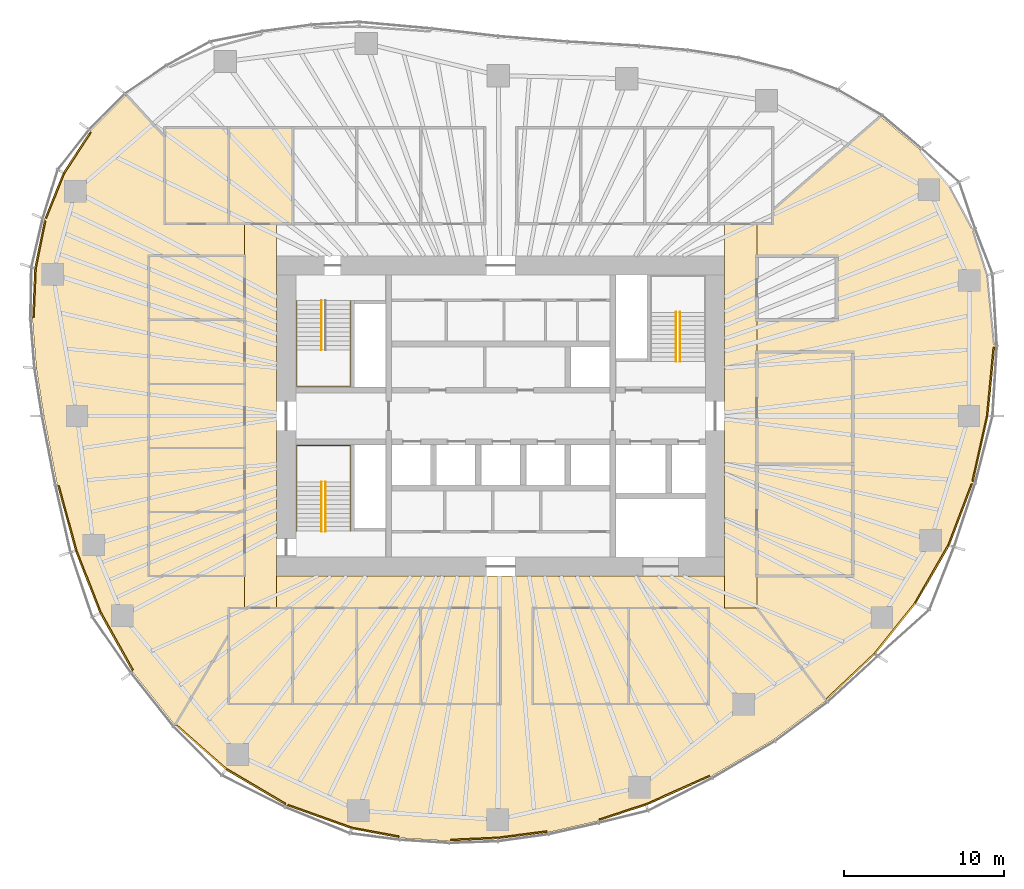
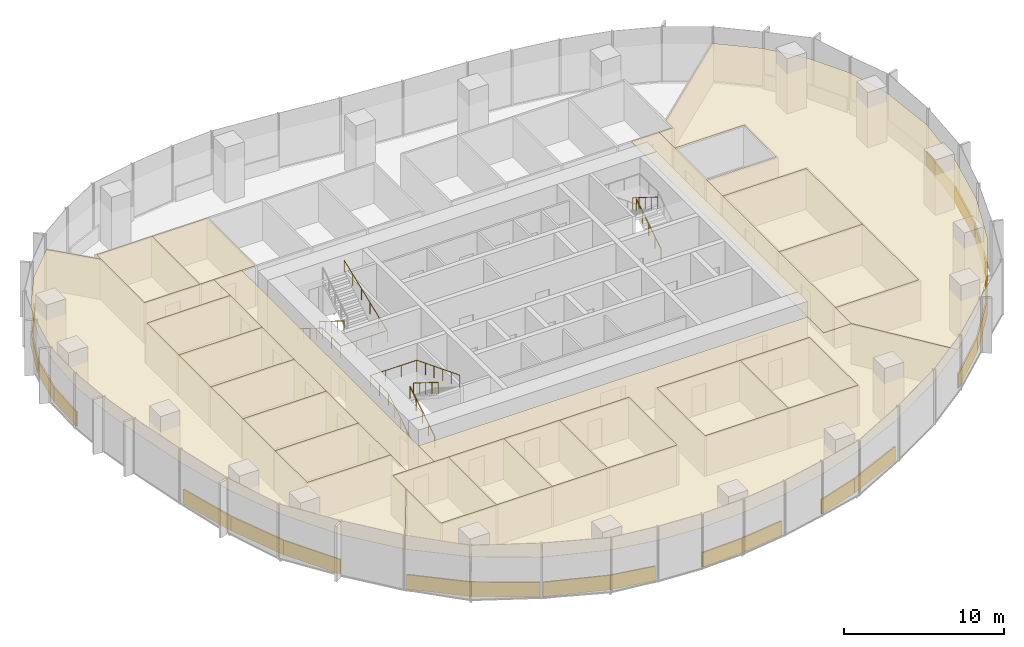
# One storey, part 17 of 18: 41 coverings, 7 railings.
"""IFC4 building model written with IfcOpenShell, lengths in metres."""

from ifc_helpers import new_model, si_unit, direction, frame, origin, origin_2d, place, context, subcontext, project, spatial, polyline, rectangle, circle, outline, extrude, material, layer, layer_set, type_object, element, save


model = new_model("IFC4")

# Units and contexts
model_context = context("Model", 3, precision=1e-05, world=origin(), true_north=direction((0.0, 1.0)))
body_context = subcontext(model_context, "Body", "Model", "MODEL_VIEW")
ifc_project = project(units=[si_unit("LENGTHUNIT", "METRE"), si_unit("AREAUNIT", "SQUARE_METRE"), si_unit("VOLUMEUNIT", "CUBIC_METRE"), si_unit("PLANEANGLEUNIT", "RADIAN"), si_unit("MASSUNIT", "GRAM", prefix="KILO")], contexts=[model_context])

# Site, building, storey
site_placement = place(None, origin())
site = spatial("IfcSite", under=ifc_project, at=site_placement, CompositionType="ELEMENT")
building_placement = place(site_placement, origin())
building = spatial("IfcBuilding", under=site, at=building_placement, Name="Ghaith Harvest Tower", CompositionType="ELEMENT")
storey_placement = place(building_placement, frame((0.0, 0.0, 172.199951171875)))
storey = spatial("IfcBuildingStorey", under=building, at=storey_placement, Name="L37", CompositionType="ELEMENT", Elevation=172.199951171875)

# Coverings
ifc_material_1 = material(Name="Mineral fibre ceiling tile", Category="gypsum")
ifc_layer_1 = layer(ifc_material_1, 0.02001953125)
ifc_layer_set_1 = layer_set([ifc_layer_1], Name="CEILING C1")
covering_type_1 = type_object("IfcCoveringType", Name="CEILING C1", PredefinedType="CEILING", material=ifc_layer_set_1)
covering_1_placement = place(storey_placement, frame((0.0, 0.0, 3.0)))
element("IfcCovering", 1, at=covering_1_placement, inside=storey, type_object=covering_type_1, Name="Ceiling L37-01", PredefinedType="CEILING", context=body_context, shape_type="SweptSolid", body=[
    extrude(outline(polyline([(-21.0, 12.0), (-17.0, 12.0), (-17.0, 18.0), (-21.0, 18.0), (-21.0, 12.0)])), origin(), (0.0, 0.0, 1.0), 0.02001953125),
])
covering_2_placement = place(storey_placement, frame((0.0, 0.0, 3.0)))
element("IfcCovering", 2, at=covering_2_placement, inside=storey, type_object=covering_type_1, Name="Ceiling L37-02", PredefinedType="CEILING", context=body_context, shape_type="SweptSolid", body=[
    extrude(outline(polyline([(-17.0, 12.0), (-13.0, 12.0), (-13.0, 18.0), (-17.0, 18.0), (-17.0, 12.0)])), origin(), (0.0, 0.0, 1.0), 0.02001953125),
])
covering_3_placement = place(storey_placement, frame((0.0, 0.0, 3.0)))
element("IfcCovering", 3, at=covering_3_placement, inside=storey, type_object=covering_type_1, Name="Ceiling L37-10", PredefinedType="CEILING", context=body_context, shape_type="SweptSolid", body=[
    extrude(outline(polyline([(16.0, -10.0), (22.0, -10.0), (22.0, -3.0), (16.0, -3.0), (16.0, -10.0)])), origin(), (0.0, 0.0, 1.0), 0.02001953125),
])
covering_4_placement = place(storey_placement, frame((0.0, 0.0, 3.0)))
element("IfcCovering", 4, at=covering_4_placement, inside=storey, type_object=covering_type_1, Name="Ceiling L37-11", PredefinedType="CEILING", context=body_context, shape_type="SweptSolid", body=[
    extrude(outline(polyline([(16.0, -3.0), (22.0, -3.0), (22.0, 4.0), (16.0, 4.0), (16.0, -3.0)])), origin(), (0.0, 0.0, 1.0), 0.02001953125),
])
covering_5_placement = place(storey_placement, frame((0.0, 0.0, 3.0)))
element("IfcCovering", 5, at=covering_5_placement, inside=storey, type_object=covering_type_1, Name="Ceiling L37-12", PredefinedType="CEILING", context=body_context, shape_type="SweptSolid", body=[
    extrude(outline(polyline([(-17.0, -18.0), (-13.0, -18.0), (-13.0, -12.0), (-17.0, -12.0), (-17.0, -18.0)])), origin(), (0.0, 0.0, 1.0), 0.02001953125),
])
covering_6_placement = place(storey_placement, frame((0.0, 0.0, 3.0)))
element("IfcCovering", 6, at=covering_6_placement, inside=storey, type_object=covering_type_1, Name="Ceiling L37-13", PredefinedType="CEILING", context=body_context, shape_type="SweptSolid", body=[
    extrude(outline(polyline([(-13.0, -18.0), (-9.0, -18.0), (-9.0, -12.0), (-13.0, -12.0), (-13.0, -18.0)])), origin(), (0.0, 0.0, 1.0), 0.02001953125),
])
covering_7_placement = place(storey_placement, frame((0.0, 0.0, 3.0)))
element("IfcCovering", 7, at=covering_7_placement, inside=storey, type_object=covering_type_1, Name="Ceiling L37-14", PredefinedType="CEILING", context=body_context, shape_type="SweptSolid", body=[
    extrude(outline(polyline([(-9.0, -18.0), (-5.0, -18.0), (-5.0, -12.0), (-9.0, -12.0), (-9.0, -18.0)])), origin(), (0.0, 0.0, 1.0), 0.02001953125),
])
covering_8_placement = place(storey_placement, frame((0.0, 0.0, 3.0)))
element("IfcCovering", 8, at=covering_8_placement, inside=storey, type_object=covering_type_1, Name="Ceiling L37-15", PredefinedType="CEILING", context=body_context, shape_type="SweptSolid", body=[
    extrude(outline(polyline([(-5.0, -18.0), (0.0, -18.0), (0.0, -12.0), (-5.0, -12.0), (-5.0, -18.0)])), origin(), (0.0, 0.0, 1.0), 0.02001953125),
])
covering_9_placement = place(storey_placement, frame((0.0, 0.0, 3.0)))
element("IfcCovering", 9, at=covering_9_placement, inside=storey, type_object=covering_type_1, Name="Ceiling L37-16", PredefinedType="CEILING", context=body_context, shape_type="SweptSolid", body=[
    extrude(outline(polyline([(2.0, -18.0), (8.0, -18.0), (8.0, -12.0), (2.0, -12.0), (2.0, -18.0)])), origin(), (0.0, 0.0, 1.0), 0.02001953125),
])
covering_10_placement = place(storey_placement, frame((0.0, 0.0, 3.0)))
element("IfcCovering", 10, at=covering_10_placement, inside=storey, type_object=covering_type_1, Name="Ceiling L37-17", PredefinedType="CEILING", context=body_context, shape_type="SweptSolid", body=[
    extrude(outline(polyline([(8.0, -18.0), (13.0, -18.0), (13.0, -12.0), (8.0, -12.0), (8.0, -18.0)])), origin(), (0.0, 0.0, 1.0), 0.02001953125),
])
covering_11_placement = place(storey_placement, frame((0.0, 0.0, 3.0)))
element("IfcCovering", 11, at=covering_11_placement, inside=storey, type_object=covering_type_1, Name="Ceiling L37-18", PredefinedType="CEILING", context=body_context, shape_type="SweptSolid", body=[
    extrude(outline(polyline([(-22.0, -10.0), (-16.0, -10.0), (-16.0, -6.0), (-22.0, -6.0), (-22.0, -10.0)])), origin(), (0.0, 0.0, 1.0), 0.02001953125),
])
covering_12_placement = place(storey_placement, frame((0.0, 0.0, 3.0)))
element("IfcCovering", 12, at=covering_12_placement, inside=storey, type_object=covering_type_1, Name="Ceiling L37-19", PredefinedType="CEILING", context=body_context, shape_type="SweptSolid", body=[
    extrude(outline(polyline([(-22.0, -6.0), (-16.0, -6.0), (-16.0, -2.0), (-22.0, -2.0), (-22.0, -6.0)])), origin(), (0.0, 0.0, 1.0), 0.02001953125),
])
covering_13_placement = place(storey_placement, frame((0.0, 0.0, 3.0)))
element("IfcCovering", 13, at=covering_13_placement, inside=storey, type_object=covering_type_1, Name="Ceiling L37-20", PredefinedType="CEILING", context=body_context, shape_type="SweptSolid", body=[
    extrude(outline(polyline([(-22.0, -2.0), (-16.0, -2.0), (-16.0, 2.0), (-22.0, 2.0), (-22.0, -2.0)])), origin(), (0.0, 0.0, 1.0), 0.02001953125),
])
covering_14_placement = place(storey_placement, frame((0.0, 0.0, 3.0)))
element("IfcCovering", 14, at=covering_14_placement, inside=storey, type_object=covering_type_1, Name="Ceiling L37-21", PredefinedType="CEILING", context=body_context, shape_type="SweptSolid", body=[
    extrude(outline(polyline([(-22.0, 2.0), (-16.0, 2.0), (-16.0, 6.0), (-22.0, 6.0), (-22.0, 2.0)])), origin(), (0.0, 0.0, 1.0), 0.02001953125),
])
covering_15_placement = place(storey_placement, frame((0.0, 0.0, 3.0)))
element("IfcCovering", 15, at=covering_15_placement, inside=storey, type_object=covering_type_1, Name="Ceiling L37-22", PredefinedType="CEILING", context=body_context, shape_type="SweptSolid", body=[
    extrude(outline(polyline([(-22.0, 6.0), (-16.0, 6.0), (-16.0, 10.0), (-22.0, 10.0), (-22.0, 6.0)])), origin(), (0.0, 0.0, 1.0), 0.02001953125),
])
covering_16_placement = place(storey_placement, frame((0.0, 0.0, 3.0)))
element("IfcCovering", 16, at=covering_16_placement, inside=storey, type_object=covering_type_1, Name="Ceiling L37-C1", PredefinedType="CEILING", context=body_context, shape_type="SweptSolid", body=[
    extrude(outline(polyline([(14.0, -12.0), (14.0, 12.0), (16.0, 12.0), (16.0, -12.0), (14.0, -12.0)])), origin(), (0.0, 0.0, 1.0), 0.02001953125),
])
covering_17_placement = place(storey_placement, frame((0.0, 0.0, 3.0)))
element("IfcCovering", 17, at=covering_17_placement, inside=storey, type_object=covering_type_1, Name="Ceiling L37-C2", PredefinedType="CEILING", context=body_context, shape_type="SweptSolid", body=[
    extrude(outline(polyline([(-14.0, 12.0), (-14.0, -12.0), (-16.0, -12.0), (-16.0, 12.0), (-14.0, 12.0)])), origin(), (0.0, 0.0, 1.0), 0.02001953125),
])
covering_18_placement = place(storey_placement, frame((0.0, 0.0, 3.0)))
element("IfcCovering", 18, at=covering_18_placement, inside=storey, type_object=covering_type_1, Name="Ceiling L37-E1", PredefinedType="CEILING", context=body_context, shape_type="SweptSolid", body=[
    extrude(outline(polyline([(26.179443359375, 16.660888671875), (28.0888671875, 14.32568359375), (29.52294921875, 11.671875), (30.439208984375, 8.797607421875), (30.8798828125, 4.373046875), (30.458740234375, 0.0), (29.527099609375, -4.181396484375), (28.03125, -8.1015625), (25.94775390625, -11.714111328125), (23.400390625, -14.89208984375), (20.33935546875, -17.784912109375), (16.0, -12.0), (16.0, -10.0), (22.0, -10.0), (22.0, 4.0), (16.0, 4.0), (16.0, 6.0), (21.0, 6.0), (21.0, 10.0), (16.0, 10.0), (16.0, 12.0), (17.0, 12.0), (17.0, 12.869384765625), (23.7275390625, 18.718017578125), (26.179443359375, 16.660888671875)])), origin(), (0.0, 0.0, 1.0), 0.02001953125),
])
covering_19_placement = place(storey_placement, frame((0.0, 0.0, 3.0)))
element("IfcCovering", 19, at=covering_19_placement, inside=storey, type_object=covering_type_1, Name="Ceiling L37-S1", PredefinedType="CEILING", context=body_context, shape_type="SweptSolid", body=[
    extrude(outline(polyline([(17.054443359375, -20.22412109375), (13.163818359375, -22.510498046875), (9.09423828125, -24.326904296875), (6.09228515625, -25.308837890625), (2.99609375, -26.010009765625), (-0.180908203125, -26.423583984375), (-3.204833984375, -26.556884765625), (-6.2666015625, -26.366455078125), (-9.317138671875, -25.79638671875), (-13.4052734375, -24.33740234375), (-17.1728515625, -22.11181640625), (-20.35400390625, -19.31396484375), (-17.0, -13.6796875), (-17.0, -18.0), (0.0, -18.0), (0.0, -12.0), (-14.0, -12.0), (-14.0, -10.0), (14.0, -10.0), (14.0, -12.0), (16.0, -12.0), (20.33935546875, -17.784912109375), (17.054443359375, -20.22412109375)]), holes=[polyline([(2.0, -18.0), (13.0, -18.0), (13.0, -12.0), (2.0, -12.0), (2.0, -18.0)])]), origin(), (0.0, 0.0, 1.0), 0.02001953125),
])
covering_20_placement = place(storey_placement, frame((0.0, 0.0, 3.0)))
element("IfcCovering", 20, at=covering_20_placement, inside=storey, type_object=covering_type_1, Name="Ceiling L37-W1", PredefinedType="CEILING", context=body_context, shape_type="SweptSolid", body=[
    extrude(outline(polyline([(-28.506591796875, 12.29638671875), (-27.33837890625, 15.204833984375), (-25.61962890625, 17.826416015625), (-23.398193359375, 20.06103515625), (-21.0, 17.447998046875), (-21.0, 12.0), (-16.0, 12.0), (-16.0, 10.0), (-22.0, 10.0), (-22.0, -10.0), (-16.0, -10.0), (-16.0, -12.0), (-17.0, -12.0), (-17.0, -13.6796875), (-20.35400390625, -19.31396484375), (-22.99169921875, -15.997802734375), (-25.046875, -12.32861328125), (-26.580078125, -8.423583984375), (-27.70947265625, -4.285888671875), (-28.541259765625, 0.0), (-29.01171875, 2.978271484375), (-29.260498046875, 6.07177734375), (-29.12646484375, 9.230712890625), (-28.506591796875, 12.29638671875)])), origin(), (0.0, 0.0, 1.0), 0.02001953125),
])

# Railings
ifc_material_2 = material(Name="Steel, black powder-coated", Category="steel")
railing_type = type_object("IfcRailingType", Name="HANDRAIL HR1", PredefinedType="HANDRAIL", material=ifc_material_2)
railing_1_placement = place(storey_placement, frame((-11.199951171875, 7.199951171875, 0.175048828125)))
element("IfcRailing", 21, at=railing_1_placement, inside=storey, type_object=railing_type, Name="Handrail HR1 stair ST1 L37 flight 1 inner", PredefinedType="HANDRAIL", context=body_context, shape_type="SweptSolid", body=[
    extrude(circle(Radius=0.02392578125, at=origin_2d()), frame((0.0, 0.0, 0.8759765625), z_axis=(0.0, -0.847979421464, 0.530029150871), x_axis=(1.0, 0.0, 0.0)), (0.0, 0.0, 1.0), 3.632080078125),
    extrude(circle(Radius=0.02099609375, at=origin_2d()), origin(), (0.0, 0.0, 1.0), 0.851806640625),
    extrude(circle(Radius=0.02099609375, at=origin_2d()), frame((0.0, -0.77001953125, 0.481201171875)), (0.0, 0.0, 1.0), 0.851806640625),
    extrude(circle(Radius=0.02099609375, at=origin_2d()), frame((0.0, -1.5400390625, 0.96240234375)), (0.0, 0.0, 1.0), 0.851806640625),
    extrude(circle(Radius=0.02099609375, at=origin_2d()), frame((0.0, -2.309814453125, 1.44384765625)), (0.0, 0.0, 1.0), 0.851806640625),
    extrude(circle(Radius=0.02099609375, at=origin_2d()), frame((0.0, -3.079833984375, 1.925048828125)), (0.0, 0.0, 1.0), 0.851806640625),
])
railing_2_placement = place(storey_placement, frame((-12.75, 7.199951171875, 0.175048828125)))
element("IfcRailing", 22, at=railing_2_placement, inside=storey, type_object=railing_type, Name="Handrail HR1 stair ST1 L37 wall side", PredefinedType="HANDRAIL", context=body_context, shape_type="SweptSolid", body=[
    extrude(circle(Radius=0.02392578125, at=origin_2d()), frame((0.0, 0.0, 0.8759765625), z_axis=(0.0, -0.847979421464, 0.530029150871), x_axis=(1.0, 0.0, 0.0)), (0.0, 0.0, 1.0), 3.632080078125),
    extrude(circle(Radius=0.02392578125, at=origin_2d()), frame((0.0, -3.079833984375, 2.80078125), z_axis=(0.0, -1.0, 0.0), x_axis=(1.0, 0.0, 0.0)), (0.0, 0.0, 1.0), 2.27001953125),
    extrude(circle(Radius=0.02392578125, at=origin_2d()), frame((0.0, -5.349853515625, 2.80078125), z_axis=(1.0, 0.0, 0.0), x_axis=(0.0, 1.0, 0.0)), (0.0, 0.0, 1.0), 3.35009765625),
    extrude(circle(Radius=0.02392578125, at=origin_2d()), frame((3.35009765625, -5.349853515625, 2.80078125), z_axis=(0.0, 0.930862461605, 0.365369781968), x_axis=(-1.0, 0.0, 0.0)), (0.0, 0.0, 1.0), 5.747314453125),
    extrude(circle(Radius=0.02099609375, at=origin_2d()), origin(), (0.0, 0.0, 1.0), 0.851806640625),
    extrude(circle(Radius=0.02099609375, at=origin_2d()), frame((0.0, -0.77001953125, 0.481201171875)), (0.0, 0.0, 1.0), 0.851806640625),
    extrude(circle(Radius=0.02099609375, at=origin_2d()), frame((0.0, -1.5400390625, 0.96240234375)), (0.0, 0.0, 1.0), 0.851806640625),
    extrude(circle(Radius=0.02099609375, at=origin_2d()), frame((0.0, -2.309814453125, 1.44384765625)), (0.0, 0.0, 1.0), 0.851806640625),
    extrude(circle(Radius=0.02099609375, at=origin_2d()), frame((0.0, -3.079833984375, 1.925048828125)), (0.0, 0.0, 1.0), 0.851806640625),
    extrude(circle(Radius=0.02099609375, at=origin_2d()), frame((0.0, -4.21484375, 1.925048828125)), (0.0, 0.0, 1.0), 0.851806640625),
    extrude(circle(Radius=0.02099609375, at=origin_2d()), frame((0.0, -5.349853515625, 1.925048828125)), (0.0, 0.0, 1.0), 0.851806640625),
    extrude(circle(Radius=0.02099609375, at=origin_2d()), frame((1.11669921875, -5.349853515625, 1.925048828125)), (0.0, 0.0, 1.0), 0.851806640625),
    extrude(circle(Radius=0.02099609375, at=origin_2d()), frame((2.2333984375, -5.349853515625, 1.925048828125)), (0.0, 0.0, 1.0), 0.851806640625),
    extrude(circle(Radius=0.02099609375, at=origin_2d()), frame((3.35009765625, -5.349853515625, 1.925048828125)), (0.0, 0.0, 1.0), 0.851806640625),
    extrude(circle(Radius=0.02099609375, at=origin_2d()), frame((3.35009765625, -4.27978515625, 2.344970703125)), (0.0, 0.0, 1.0), 0.851806640625),
    extrude(circle(Radius=0.02099609375, at=origin_2d()), frame((3.35009765625, -3.2099609375, 2.764892578125)), (0.0, 0.0, 1.0), 0.851806640625),
    extrude(circle(Radius=0.02099609375, at=origin_2d()), frame((3.35009765625, -2.139892578125, 3.18505859375)), (0.0, 0.0, 1.0), 0.851806640625),
    extrude(circle(Radius=0.02099609375, at=origin_2d()), frame((3.35009765625, -1.070068359375, 3.60498046875)), (0.0, 0.0, 1.0), 0.851806640625),
    extrude(circle(Radius=0.02099609375, at=origin_2d()), frame((3.35009765625, 0.0, 4.02490234375)), (0.0, 0.0, 1.0), 0.851806640625),
])
railing_3_placement = place(storey_placement, frame((-11.199951171875, -7.199951171875, 0.175048828125)))
element("IfcRailing", 23, at=railing_3_placement, inside=storey, type_object=railing_type, Name="Handrail HR1 stair ST3 L37 flight 1 inner", PredefinedType="HANDRAIL", context=body_context, shape_type="SweptSolid", body=[
    extrude(circle(Radius=0.02392578125, at=origin_2d()), frame((0.0, 0.0, 0.8759765625), z_axis=(0.0, 0.847979421464, 0.530029150871), x_axis=(-1.0, 0.0, 0.0)), (0.0, 0.0, 1.0), 3.632080078125),
    extrude(circle(Radius=0.02099609375, at=origin_2d()), origin(), (0.0, 0.0, 1.0), 0.851806640625),
    extrude(circle(Radius=0.02099609375, at=origin_2d()), frame((0.0, 0.77001953125, 0.481201171875)), (0.0, 0.0, 1.0), 0.851806640625),
    extrude(circle(Radius=0.02099609375, at=origin_2d()), frame((0.0, 1.5400390625, 0.96240234375)), (0.0, 0.0, 1.0), 0.851806640625),
    extrude(circle(Radius=0.02099609375, at=origin_2d()), frame((0.0, 2.309814453125, 1.44384765625)), (0.0, 0.0, 1.0), 0.851806640625),
    extrude(circle(Radius=0.02099609375, at=origin_2d()), frame((0.0, 3.079833984375, 1.925048828125)), (0.0, 0.0, 1.0), 0.851806640625),
])
railing_4_placement = place(storey_placement, frame((-10.949951171875, -4.1201171875, 2.275146484375)))
element("IfcRailing", 24, at=railing_4_placement, inside=storey, type_object=railing_type, Name="Handrail HR1 stair ST3 L37 flight 2 inner", PredefinedType="HANDRAIL", context=body_context, shape_type="SweptSolid", body=[
    extrude(circle(Radius=0.02392578125, at=origin_2d()), frame((0.0, 0.0, 0.8759765625), z_axis=(0.0, -0.848009633417, 0.529980812513), x_axis=(1.0, 0.0, 0.0)), (0.0, 0.0, 1.0), 3.6318359375),
    extrude(circle(Radius=0.02099609375, at=origin_2d()), origin(), (0.0, 0.0, 1.0), 0.851806640625),
    extrude(circle(Radius=0.02099609375, at=origin_2d()), frame((0.0, -0.77001953125, 0.481201171875)), (0.0, 0.0, 1.0), 0.851806640625),
    extrude(circle(Radius=0.02099609375, at=origin_2d()), frame((0.0, -1.5400390625, 0.96240234375)), (0.0, 0.0, 1.0), 0.851806640625),
    extrude(circle(Radius=0.02099609375, at=origin_2d()), frame((0.0, -2.309814453125, 1.443603515625)), (0.0, 0.0, 1.0), 0.851806640625),
    extrude(circle(Radius=0.02099609375, at=origin_2d()), frame((0.0, -3.079833984375, 1.9248046875)), (0.0, 0.0, 1.0), 0.851806640625),
])
railing_5_placement = place(storey_placement, frame((-12.75, -7.199951171875, 0.175048828125)))
element("IfcRailing", 25, at=railing_5_placement, inside=storey, type_object=railing_type, Name="Handrail HR1 stair ST3 L37 wall side", PredefinedType="HANDRAIL", context=body_context, shape_type="SweptSolid", body=[
    extrude(circle(Radius=0.02392578125, at=origin_2d()), frame((0.0, 0.0, 0.8759765625), z_axis=(0.0, 0.847979421464, 0.530029150871), x_axis=(-1.0, 0.0, 0.0)), (0.0, 0.0, 1.0), 3.632080078125),
    extrude(circle(Radius=0.02392578125, at=origin_2d()), frame((0.0, 3.079833984375, 2.80078125), z_axis=(0.0, 1.0, 0.0), x_axis=(-1.0, 0.0, 0.0)), (0.0, 0.0, 1.0), 2.27001953125),
    extrude(circle(Radius=0.02392578125, at=origin_2d()), frame((0.0, 5.349853515625, 2.80078125), z_axis=(1.0, 0.0, 0.0), x_axis=(0.0, 1.0, 0.0)), (0.0, 0.0, 1.0), 3.35009765625),
    extrude(circle(Radius=0.02392578125, at=origin_2d()), frame((3.35009765625, 5.349853515625, 2.80078125), z_axis=(0.0, -0.930862461605, 0.365369781968), x_axis=(1.0, 0.0, 0.0)), (0.0, 0.0, 1.0), 5.747314453125),
    extrude(circle(Radius=0.02099609375, at=origin_2d()), origin(), (0.0, 0.0, 1.0), 0.851806640625),
    extrude(circle(Radius=0.02099609375, at=origin_2d()), frame((0.0, 0.77001953125, 0.481201171875)), (0.0, 0.0, 1.0), 0.851806640625),
    extrude(circle(Radius=0.02099609375, at=origin_2d()), frame((0.0, 1.5400390625, 0.96240234375)), (0.0, 0.0, 1.0), 0.851806640625),
    extrude(circle(Radius=0.02099609375, at=origin_2d()), frame((0.0, 2.309814453125, 1.44384765625)), (0.0, 0.0, 1.0), 0.851806640625),
    extrude(circle(Radius=0.02099609375, at=origin_2d()), frame((0.0, 3.079833984375, 1.925048828125)), (0.0, 0.0, 1.0), 0.851806640625),
    extrude(circle(Radius=0.02099609375, at=origin_2d()), frame((0.0, 4.21484375, 1.925048828125)), (0.0, 0.0, 1.0), 0.851806640625),
    extrude(circle(Radius=0.02099609375, at=origin_2d()), frame((0.0, 5.349853515625, 1.925048828125)), (0.0, 0.0, 1.0), 0.851806640625),
    extrude(circle(Radius=0.02099609375, at=origin_2d()), frame((1.11669921875, 5.349853515625, 1.925048828125)), (0.0, 0.0, 1.0), 0.851806640625),
    extrude(circle(Radius=0.02099609375, at=origin_2d()), frame((2.2333984375, 5.349853515625, 1.925048828125)), (0.0, 0.0, 1.0), 0.851806640625),
    extrude(circle(Radius=0.02099609375, at=origin_2d()), frame((3.35009765625, 5.349853515625, 1.925048828125)), (0.0, 0.0, 1.0), 0.851806640625),
    extrude(circle(Radius=0.02099609375, at=origin_2d()), frame((3.35009765625, 4.27978515625, 2.344970703125)), (0.0, 0.0, 1.0), 0.851806640625),
    extrude(circle(Radius=0.02099609375, at=origin_2d()), frame((3.35009765625, 3.2099609375, 2.764892578125)), (0.0, 0.0, 1.0), 0.851806640625),
    extrude(circle(Radius=0.02099609375, at=origin_2d()), frame((3.35009765625, 2.139892578125, 3.18505859375)), (0.0, 0.0, 1.0), 0.851806640625),
    extrude(circle(Radius=0.02099609375, at=origin_2d()), frame((3.35009765625, 1.070068359375, 3.60498046875)), (0.0, 0.0, 1.0), 0.851806640625),
    extrude(circle(Radius=0.02099609375, at=origin_2d()), frame((3.35009765625, 0.0, 4.02490234375)), (0.0, 0.0, 1.0), 0.851806640625),
])
railing_6_placement = place(storey_placement, frame((11.199951171875, 3.39990234375, 0.175048828125)))
element("IfcRailing", 26, at=railing_6_placement, inside=storey, type_object=railing_type, Name="Handrail HR1 stair ST2 L37 flight 1 inner", PredefinedType="HANDRAIL", context=body_context, shape_type="SweptSolid", body=[
    extrude(circle(Radius=0.02392578125, at=origin_2d()), frame((0.0, 0.0, 0.8759765625), z_axis=(0.0, 0.847998304005, 0.529998940003), x_axis=(-1.0, 0.0, 0.0)), (0.0, 0.0, 1.0), 3.632080078125),
    extrude(circle(Radius=0.02099609375, at=origin_2d()), origin(), (0.0, 0.0, 1.0), 0.851806640625),
    extrude(circle(Radius=0.02099609375, at=origin_2d()), frame((0.0, 0.77001953125, 0.481201171875)), (0.0, 0.0, 1.0), 0.851806640625),
    extrude(circle(Radius=0.02099609375, at=origin_2d()), frame((0.0, 1.5400390625, 0.96240234375)), (0.0, 0.0, 1.0), 0.851806640625),
    extrude(circle(Radius=0.02099609375, at=origin_2d()), frame((0.0, 2.31005859375, 1.44384765625)), (0.0, 0.0, 1.0), 0.851806640625),
    extrude(circle(Radius=0.02099609375, at=origin_2d()), frame((0.0, 3.080078125, 1.925048828125)), (0.0, 0.0, 1.0), 0.851806640625),
])
railing_7_placement = place(storey_placement, frame((10.949951171875, 6.47998046875, 2.275146484375)))
element("IfcRailing", 27, at=railing_7_placement, inside=storey, type_object=railing_type, Name="Handrail HR1 stair ST2 L37 flight 2 inner", PredefinedType="HANDRAIL", context=body_context, shape_type="SweptSolid", body=[
    extrude(circle(Radius=0.02392578125, at=origin_2d()), frame((0.0, 0.0, 0.8759765625), z_axis=(0.0, -0.848028513186, 0.529950602248), x_axis=(1.0, 0.0, 0.0)), (0.0, 0.0, 1.0), 3.632080078125),
    extrude(circle(Radius=0.02099609375, at=origin_2d()), origin(), (0.0, 0.0, 1.0), 0.851806640625),
    extrude(circle(Radius=0.02099609375, at=origin_2d()), frame((0.0, -0.77001953125, 0.481201171875)), (0.0, 0.0, 1.0), 0.851806640625),
    extrude(circle(Radius=0.02099609375, at=origin_2d()), frame((0.0, -1.5400390625, 0.96240234375)), (0.0, 0.0, 1.0), 0.851806640625),
    extrude(circle(Radius=0.02099609375, at=origin_2d()), frame((0.0, -2.31005859375, 1.443603515625)), (0.0, 0.0, 1.0), 0.851806640625),
    extrude(circle(Radius=0.02099609375, at=origin_2d()), frame((0.0, -3.080078125, 1.9248046875)), (0.0, 0.0, 1.0), 0.851806640625),
])

# Coverings
ifc_material_3 = material(Name="Insulated aluminium spandrel panel on steel framing", Category="steel")
ifc_layer_2 = layer(ifc_material_3, 0.10009765625)
ifc_layer_set_2 = layer_set([ifc_layer_2], Name="SLAB EDGE UPSTAND 1100x100")
covering_type_2 = type_object("IfcCoveringType", Name="SLAB EDGE UPSTAND 1100x100", PredefinedType="CLADDING", material=ifc_layer_set_2)
covering_21_placement = place(storey_placement, frame((30.61474609375, 2.1416015625, 0.0), z_axis=(0.0, 0.0, 1.0), x_axis=(0.095861332319, 0.99539469808, 0.0)))
element("IfcCovering", 28, at=covering_21_placement, inside=storey, type_object=covering_type_2, Name="Slab edge upstand 1 bay 01 L37", PredefinedType="CLADDING", context=body_context, shape_type="SweptSolid", body=[
    extrude(rectangle(XDim=4.293212890625, YDim=0.10009765625, at=origin_2d()), origin(), (0.0, 0.0, 1.0), 1.10009765625),
])
covering_22_placement = place(storey_placement, frame((-26.464599609375, 16.4462890625, 0.0), z_axis=(0.0, 0.0, 1.0), x_axis=(-0.548312211554, -0.836273710373, 0.0)))
element("IfcCovering", 29, at=covering_22_placement, inside=storey, type_object=covering_type_2, Name="Slab edge upstand 1 bay 09 L37", PredefinedType="CLADDING", context=body_context, shape_type="SweptSolid", body=[
    extrude(rectangle(XDim=3.03466796875, YDim=0.10009765625, at=origin_2d()), origin(), (0.0, 0.0, 1.0), 1.10009765625),
])
covering_23_placement = place(storey_placement, frame((-27.857421875, 13.7783203125, 0.0), z_axis=(0.0, 0.0, 1.0), x_axis=(-0.372732078847, -0.927939005215, 0.0)))
element("IfcCovering", 30, at=covering_23_placement, inside=storey, type_object=covering_type_2, Name="Slab edge upstand 2 bay 09 L37", PredefinedType="CLADDING", context=body_context, shape_type="SweptSolid", body=[
    extrude(rectangle(XDim=3.034423828125, YDim=0.10009765625, at=origin_2d()), origin(), (0.0, 0.0, 1.0), 1.10009765625),
])
covering_24_placement = place(storey_placement, frame((-28.777587890625, 10.70458984375, 0.0), z_axis=(0.0, 0.0, 1.0), x_axis=(-0.198182542943, -0.980165128778, 0.0)))
element("IfcCovering", 31, at=covering_24_placement, inside=storey, type_object=covering_type_2, Name="Slab edge upstand 3 bay 09 L37", PredefinedType="CLADDING", context=body_context, shape_type="SweptSolid", body=[
    extrude(rectangle(XDim=3.027587890625, YDim=0.10009765625, at=origin_2d()), origin(), (0.0, 0.0, 1.0), 1.10009765625),
])
covering_25_placement = place(storey_placement, frame((-29.141357421875, 7.69921875, 0.0), z_axis=(0.0, 0.0, 1.0), x_axis=(-0.042372799788, -0.9991018696, 0.0)))
element("IfcCovering", 32, at=covering_25_placement, inside=storey, type_object=covering_type_2, Name="Slab edge upstand 1 bay 10 L37", PredefinedType="CLADDING", context=body_context, shape_type="SweptSolid", body=[
    extrude(rectangle(XDim=3.061767578125, YDim=0.10009765625, at=origin_2d()), origin(), (0.0, 0.0, 1.0), 1.10009765625),
])
covering_26_placement = place(storey_placement, frame((-27.08349609375, -6.389892578125, 0.0), z_axis=(0.0, 0.0, 1.0), x_axis=(0.263287721652, -0.964717355305, 0.0)))
element("IfcCovering", 33, at=covering_26_placement, inside=storey, type_object=covering_type_2, Name="Slab edge upstand 2 bay 11 L37", PredefinedType="CLADDING", context=body_context, shape_type="SweptSolid", body=[
    extrude(rectangle(XDim=4.189208984375, YDim=0.10009765625, at=origin_2d()), origin(), (0.0, 0.0, 1.0), 1.10009765625),
])
covering_27_placement = place(storey_placement, frame((-25.76708984375, -10.35791015625, 0.0), z_axis=(0.0, 0.0, 1.0), x_axis=(0.365514970008, -0.930805461254, 0.0)))
element("IfcCovering", 34, at=covering_27_placement, inside=storey, type_object=covering_type_2, Name="Slab edge upstand 1 bay 12 L37", PredefinedType="CLADDING", context=body_context, shape_type="SweptSolid", body=[
    extrude(rectangle(XDim=4.195068359375, YDim=0.10009765625, at=origin_2d()), origin(), (0.0, 0.0, 1.0), 1.10009765625),
])
covering_28_placement = place(storey_placement, frame((-24.0, -14.09521484375, 0.0), z_axis=(0.0, 0.0, 1.0), x_axis=(0.488683758288, -0.872460993045, 0.0)))
element("IfcCovering", 35, at=covering_28_placement, inside=storey, type_object=covering_type_2, Name="Slab edge upstand 2 bay 12 L37", PredefinedType="CLADDING", context=body_context, shape_type="SweptSolid", body=[
    extrude(rectangle(XDim=4.10546875, YDim=0.10009765625, at=origin_2d()), origin(), (0.0, 0.0, 1.0), 1.10009765625),
])
covering_29_placement = place(storey_placement, frame((-18.69287109375, -20.70849609375, 0.0), z_axis=(0.0, 0.0, 1.0), x_axis=(0.75089221411, -0.660424774511, 0.0)))
element("IfcCovering", 36, at=covering_29_placement, inside=storey, type_object=covering_type_2, Name="Slab edge upstand 2 bay 13 L37", PredefinedType="CLADDING", context=body_context, shape_type="SweptSolid", body=[
    extrude(rectangle(XDim=4.136474609375, YDim=0.10009765625, at=origin_2d()), origin(), (0.0, 0.0, 1.0), 1.10009765625),
])
covering_30_placement = place(storey_placement, frame((-15.306640625, -23.15625, 0.0), z_axis=(0.0, 0.0, 1.0), x_axis=(0.861020519069, -0.508570217121, 0.0)))
element("IfcCovering", 37, at=covering_30_placement, inside=storey, type_object=covering_type_2, Name="Slab edge upstand 1 bay 14 L37", PredefinedType="CLADDING", context=body_context, shape_type="SweptSolid", body=[
    extrude(rectangle(XDim=4.27587890625, YDim=0.10009765625, at=origin_2d()), origin(), (0.0, 0.0, 1.0), 1.10009765625),
])
covering_31_placement = place(storey_placement, frame((-11.29736328125, -25.03662109375, 0.0), z_axis=(0.0, 0.0, 1.0), x_axis=(0.941807015649, -0.336154049915, 0.0)))
element("IfcCovering", 38, at=covering_31_placement, inside=storey, type_object=covering_type_2, Name="Slab edge upstand 2 bay 14 L37", PredefinedType="CLADDING", context=body_context, shape_type="SweptSolid", body=[
    extrude(rectangle(XDim=4.24072265625, YDim=0.10009765625, at=origin_2d()), origin(), (0.0, 0.0, 1.0), 1.10009765625),
])
covering_32_placement = place(storey_placement, frame((-7.831787109375, -26.023193359375, 0.0), z_axis=(0.0, 0.0, 1.0), x_axis=(0.982990071164, -0.183658705191, 0.0)))
element("IfcCovering", 39, at=covering_32_placement, inside=storey, type_object=covering_type_2, Name="Slab edge upstand 1 bay 15 L37", PredefinedType="CLADDING", context=body_context, shape_type="SweptSolid", body=[
    extrude(rectangle(XDim=3.003173828125, YDim=0.10009765625, at=origin_2d()), origin(), (0.0, 0.0, 1.0), 1.10009765625),
])
covering_33_placement = place(storey_placement, frame((-1.64501953125, -26.43798828125, 0.0), z_axis=(0.0, 0.0, 1.0), x_axis=(0.999029547734, 0.044045008275, 0.0)))
element("IfcCovering", 40, at=covering_33_placement, inside=storey, type_object=covering_type_2, Name="Slab edge upstand 3 bay 15 L37", PredefinedType="CLADDING", context=body_context, shape_type="SweptSolid", body=[
    extrude(rectangle(XDim=2.927001953125, YDim=0.10009765625, at=origin_2d()), origin(), (0.0, 0.0, 1.0), 1.10009765625),
])
covering_34_placement = place(storey_placement, frame((1.3515625, -26.173583984375, 0.0), z_axis=(0.0, 0.0, 1.0), x_axis=(0.991633707242, 0.129083657611, 0.0)))
element("IfcCovering", 41, at=covering_34_placement, inside=storey, type_object=covering_type_2, Name="Slab edge upstand 1 bay 16 L37", PredefinedType="CLADDING", context=body_context, shape_type="SweptSolid", body=[
    extrude(rectangle(XDim=3.103759765625, YDim=0.10009765625, at=origin_2d()), origin(), (0.0, 0.0, 1.0), 1.10009765625),
])
covering_35_placement = place(storey_placement, frame((7.625244140625, -24.754638671875, 0.0), z_axis=(0.0, 0.0, 1.0), x_axis=(0.950441392134, 0.310903779518, 0.0)))
element("IfcCovering", 42, at=covering_35_placement, inside=storey, type_object=covering_type_2, Name="Slab edge upstand 3 bay 16 L37", PredefinedType="CLADDING", context=body_context, shape_type="SweptSolid", body=[
    extrude(rectangle(XDim=3.05859375, YDim=0.10009765625, at=origin_2d()), origin(), (0.0, 0.0, 1.0), 1.10009765625),
])
covering_36_placement = place(storey_placement, frame((11.06298828125, -23.393310546875, 0.0), z_axis=(0.0, 0.0, 1.0), x_axis=(0.913170343632, 0.407578119519, 0.0)))
element("IfcCovering", 43, at=covering_36_placement, inside=storey, type_object=covering_type_2, Name="Slab edge upstand 1 bay 17 L37", PredefinedType="CLADDING", context=body_context, shape_type="SweptSolid", body=[
    extrude(rectangle(XDim=4.356689453125, YDim=0.10009765625, at=origin_2d()), origin(), (0.0, 0.0, 1.0), 1.10009765625),
])
covering_37_placement = place(storey_placement, frame((21.871826171875, -16.267822265625, 0.0), z_axis=(0.0, 0.0, 1.0), x_axis=(0.72680962062, 0.686838973395, 0.0)))
element("IfcCovering", 44, at=covering_37_placement, inside=storey, type_object=covering_type_2, Name="Slab edge upstand 2 bay 18 L37", PredefinedType="CLADDING", context=body_context, shape_type="SweptSolid", body=[
    extrude(rectangle(XDim=4.111572265625, YDim=0.10009765625, at=origin_2d()), origin(), (0.0, 0.0, 1.0), 1.10009765625),
])
covering_38_placement = place(storey_placement, frame((24.635009765625, -13.27197265625, 0.0), z_axis=(0.0, 0.0, 1.0), x_axis=(0.625468377377, 0.780249517079, 0.0)))
element("IfcCovering", 45, at=covering_38_placement, inside=storey, type_object=covering_type_2, Name="Slab edge upstand 1 bay 19 L37", PredefinedType="CLADDING", context=body_context, shape_type="SweptSolid", body=[
    extrude(rectangle(XDim=4.072998046875, YDim=0.10009765625, at=origin_2d()), origin(), (0.0, 0.0, 1.0), 1.10009765625),
])
covering_39_placement = place(storey_placement, frame((26.9462890625, -9.8828125, 0.0), z_axis=(0.0, 0.0, 1.0), x_axis=(0.499596169173, 0.866258430117, 0.0)))
element("IfcCovering", 46, at=covering_39_placement, inside=storey, type_object=covering_type_2, Name="Slab edge upstand 2 bay 19 L37", PredefinedType="CLADDING", context=body_context, shape_type="SweptSolid", body=[
    extrude(rectangle(XDim=4.170166015625, YDim=0.10009765625, at=origin_2d()), origin(), (0.0, 0.0, 1.0), 1.10009765625),
])
covering_40_placement = place(storey_placement, frame((28.714599609375, -6.17041015625, 0.0), z_axis=(0.0, 0.0, 1.0), x_axis=(0.356503850378, 0.934293853488, 0.0)))
element("IfcCovering", 47, at=covering_40_placement, inside=storey, type_object=covering_type_2, Name="Slab edge upstand 1 bay 20 L37", PredefinedType="CLADDING", context=body_context, shape_type="SweptSolid", body=[
    extrude(rectangle(XDim=4.095947265625, YDim=0.10009765625, at=origin_2d()), origin(), (0.0, 0.0, 1.0), 1.10009765625),
])
covering_41_placement = place(storey_placement, frame((29.955078125, -2.031005859375, 0.0), z_axis=(0.0, 0.0, 1.0), x_axis=(0.217466241983, 0.976067842723, 0.0)))
element("IfcCovering", 48, at=covering_41_placement, inside=storey, type_object=covering_type_2, Name="Slab edge upstand 2 bay 20 L37", PredefinedType="CLADDING", context=body_context, shape_type="SweptSolid", body=[
    extrude(rectangle(XDim=4.183837890625, YDim=0.10009765625, at=origin_2d()), origin(), (0.0, 0.0, 1.0), 1.10009765625),
])

save(model, "model.ifc")
